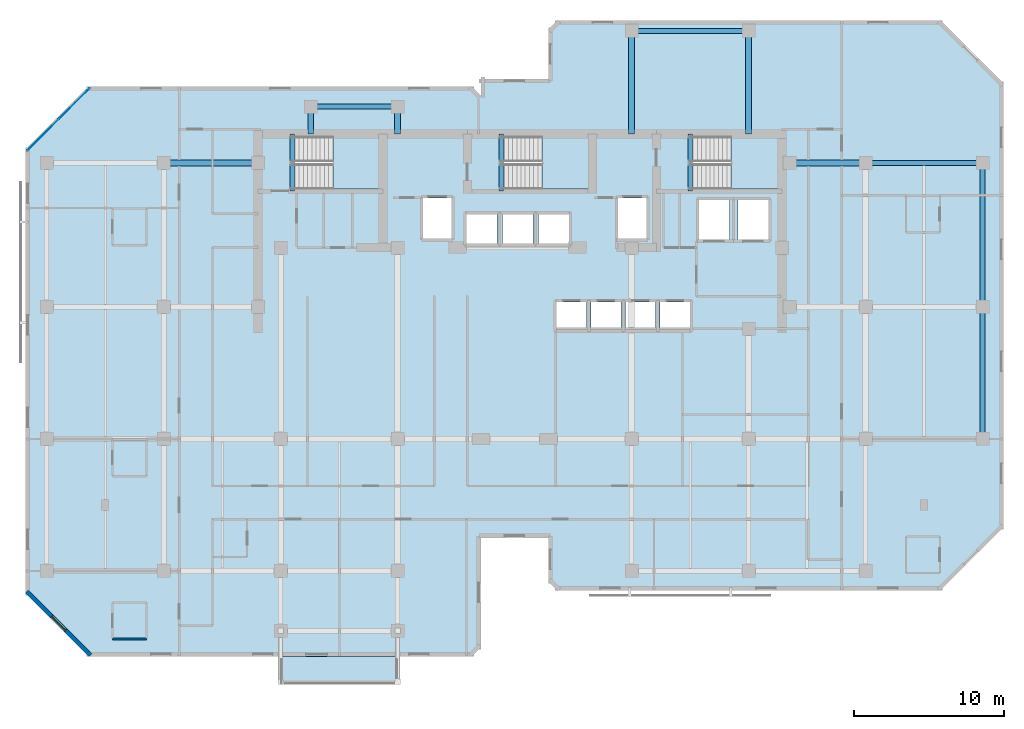
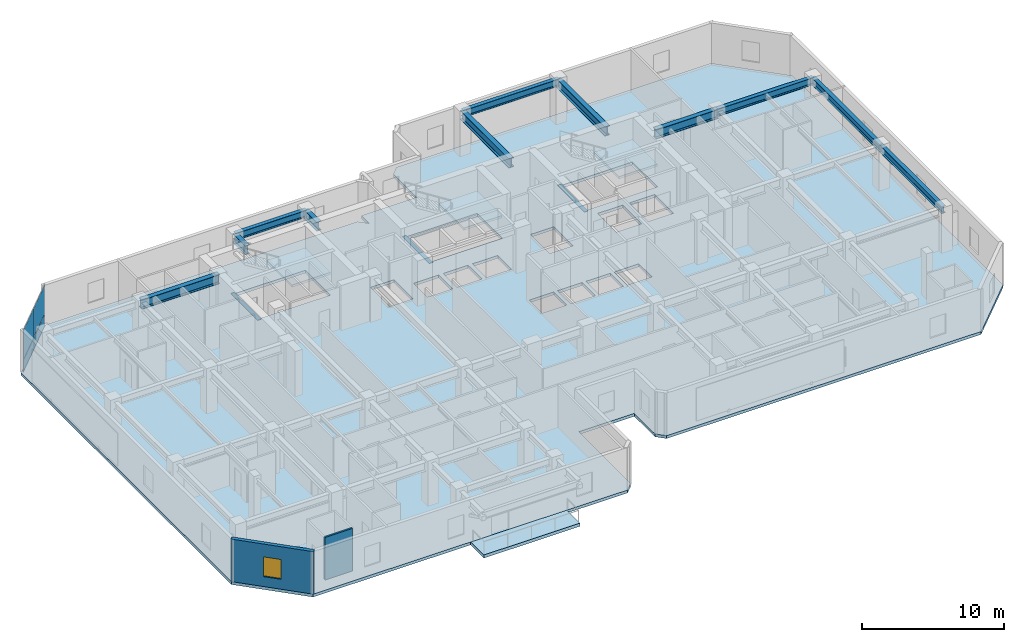
# One storey, part 3 of 11: 14 beams, 5 slabs, 4 plates, 2 walls, 1 window, 1 opening, 4 elements without a shape of their own.
"""IFC4 building model written with IfcOpenShell, lengths in metres."""

from ifc_helpers import new_model, si_unit, direction, frame, frame_2d, origin, origin_2d, place, context, subcontext, project, spatial, polyline, rectangle, i_section, outline, extrude, material, layer, layer_set, material_profile, profile_set, type_object, element, fill, aggregate, save


model = new_model("IFC4")

# Units and contexts
model_context = context("Model", 3, precision=1e-05, world=origin(), true_north=direction((0.0, 1.0)))
body_context = subcontext(model_context, "Body", "Model", "MODEL_VIEW")
ifc_project = project(units=[si_unit("LENGTHUNIT", "METRE"), si_unit("AREAUNIT", "SQUARE_METRE"), si_unit("VOLUMEUNIT", "CUBIC_METRE"), si_unit("PLANEANGLEUNIT", "RADIAN"), si_unit("MASSUNIT", "GRAM", prefix="KILO")], contexts=[model_context])

# Site, building, storey
site_placement = place(None, origin())
site = spatial("IfcSite", under=ifc_project, at=site_placement, CompositionType="ELEMENT")
building_placement = place(site_placement, origin())
building = spatial("IfcBuilding", under=site, at=building_placement, Name="Kestravale Grand Hotel", CompositionType="ELEMENT")
storey_placement = place(building_placement, frame((0.0, 0.0, 204.60009765625)))
storey = spatial("IfcBuildingStorey", under=building, at=storey_placement, Name="L51", CompositionType="ELEMENT", Elevation=204.60009765625)

# Beams
ifc_material_1 = material(Name="Concrete f'c 45 MPa", Category="concrete")
ifc_material_profile_1 = material_profile(ifc_material_1, rectangle(XDim=0.300048828125, YDim=0.39990234375, at=origin_2d()))
ifc_profile_set_1 = profile_set([ifc_material_profile_1], Name="Concrete f'c 45 MPa")
beam_type_1 = type_object("IfcBeamType", Name="B-FLR-LNT400", PredefinedType="LINTEL", material=ifc_profile_set_1)
for number, where, z_axis, x_axis, name in (
    (1, (24.159912109375, 36.52001953125, -0.2001953125), (0.0, 1.0, 0.0), (-1.0, 0.0, 0.0), "L51 ST1 flight bottom header beam"),
    (2, (38.110107421875, 36.52001953125, -0.2001953125), (0.0, 1.0, 0.0), (-1.0, 0.0, 0.0), "L51 ST2 flight bottom header beam"),
    (3, (50.7099609375, 36.52001953125, -0.2001953125), (0.0, 1.0, 0.0), (-1.0, 0.0, 0.0), "L51 ST3 flight bottom header beam"),
):
    element("IfcBeam", number, at=place(storey_placement, frame(where, z_axis=z_axis, x_axis=x_axis)), inside=storey, type_object=beam_type_1, Name=name, PredefinedType="LINTEL", context=body_context, shape_type="SweptSolid", body=[
        extrude(rectangle(XDim=0.300048828125, YDim=0.39990234375, at=origin_2d()), origin(), (0.0, 0.0, 1.0), 3.800048828125),
    ])
ifc_material_2 = material(Name="Steel ASTM A992 Grade 50", Category="steel")
ifc_material_profile_2 = material_profile(ifc_material_2, i_section(OverallWidth=0.324951171875, OverallDepth=0.612060546875, WebThickness=0.0126953125, FlangeThickness=0.01904296875, FilletRadius=0.018798828125, at=origin_2d()))
ifc_profile_set_2 = profile_set([ifc_material_profile_2], Name="Steel ASTM A992 Grade 50")
beam_type_2 = type_object("IfcBeamType", Name="B-FLR-W24A", PredefinedType="SPANDREL", material=ifc_profile_set_2)
for number, where, z_axis, x_axis, name in (
    (4, (62.39990234375, 38.39990234375, 3.343994140625), (1.0, 0.0, 0.0), (0.0, 1.0, 0.0), "L51 spandrel F:10-11"),
    (5, (46.800048828125, 47.199951171875, 3.343994140625), (1.0, 0.0, 0.0), (0.0, 1.0, 0.0), "L51 spandrel G:8-9"),
):
    element("IfcBeam", number, at=place(storey_placement, frame(where, z_axis=z_axis, x_axis=x_axis)), inside=storey, type_object=beam_type_2, Name=name, PredefinedType="SPANDREL", context=body_context, shape_type="SweptSolid", body=[
        extrude(i_section(OverallWidth=0.324951171875, OverallDepth=0.612060546875, WebThickness=0.0126953125, FlangeThickness=0.01904296875, FilletRadius=0.018798828125, at=origin_2d()), origin(), (0.0, 0.0, 1.0), 7.800048828125),
    ])
beam_1_placement = place(storey_placement, frame((25.39990234375, 42.14990234375, 3.343994140625), z_axis=(1.0, 0.0, 0.0), x_axis=(0.0, 1.0, 0.0)))
element("IfcBeam", 6, at=beam_1_placement, inside=storey, type_object=beam_type_2, Name="L51 perimeter tie spandrel FN:4-5", PredefinedType="SPANDREL", context=body_context, shape_type="SweptSolid", body=[
    extrude(i_section(OverallWidth=0.324951171875, OverallDepth=0.612060546875, WebThickness=0.0126953125, FlangeThickness=0.01904296875, FilletRadius=0.018798828125, at=origin_2d()), origin(), (0.0, 0.0, 1.0), 5.800048828125),
])
beam_2_placement = place(storey_placement, frame((70.199951171875, 20.0, 3.343994140625), z_axis=(0.0, 1.0, 0.0), x_axis=(-1.0, 0.0, 0.0)))
element("IfcBeam", 7, at=beam_2_placement, inside=storey, type_object=beam_type_2, Name="L51 spandrel 11:D-E", PredefinedType="SPANDREL", context=body_context, shape_type="SweptSolid", body=[
    extrude(i_section(OverallWidth=0.324951171875, OverallDepth=0.612060546875, WebThickness=0.0126953125, FlangeThickness=0.01904296875, FilletRadius=0.018798828125, at=origin_2d()), origin(), (0.0, 0.0, 1.0), 8.800048828125),
])
beam_3_placement = place(storey_placement, frame((70.199951171875, 28.800048828125, 3.343994140625), z_axis=(0.0, 1.0, 0.0), x_axis=(-1.0, 0.0, 0.0)))
element("IfcBeam", 8, at=beam_3_placement, inside=storey, type_object=beam_type_2, Name="L51 spandrel 11:E-F", PredefinedType="SPANDREL", context=body_context, shape_type="SweptSolid", body=[
    extrude(i_section(OverallWidth=0.324951171875, OverallDepth=0.612060546875, WebThickness=0.0126953125, FlangeThickness=0.01904296875, FilletRadius=0.018798828125, at=origin_2d()), origin(), (0.0, 0.0, 1.0), 9.599853515625),
])
ifc_material_3 = material(Name="Steel ASTM A992 Grade 50", Category="steel")
ifc_material_profile_3 = material_profile(ifc_material_3, i_section(OverallWidth=0.381103515625, OverallDepth=0.77197265625, WebThickness=0.0166015625, FlangeThickness=0.027099609375, FilletRadius=0.023681640625, at=origin_2d()))
ifc_profile_set_3 = profile_set([ifc_material_profile_3], Name="Steel ASTM A992 Grade 50")
beam_type_3 = type_object("IfcBeamType", Name="B-GRD-W30", PredefinedType="BEAM", material=ifc_profile_set_3)
beam_4_placement = place(storey_placement, frame((15.60009765625, 38.39990234375, 3.263916015625), z_axis=(1.0, 0.0, 0.0), x_axis=(0.0, 1.0, 0.0)))
element("IfcBeam", 9, at=beam_4_placement, inside=storey, type_object=beam_type_3, Name="L51 girder F:3-CW", PredefinedType="BEAM", context=body_context, shape_type="SweptSolid", body=[
    extrude(i_section(OverallWidth=0.381103515625, OverallDepth=0.77197265625, WebThickness=0.0166015625, FlangeThickness=0.027099609375, FilletRadius=0.023681640625, at=origin_2d()), origin(), (0.0, 0.0, 1.0), 6.2998046875),
])
beam_5_placement = place(storey_placement, frame((57.35009765625, 38.39990234375, 3.263916015625), z_axis=(1.0, 0.0, 0.0), x_axis=(0.0, 1.0, 0.0)))
element("IfcBeam", 10, at=beam_5_placement, inside=storey, type_object=beam_type_3, Name="L51 girder F:CE-10", PredefinedType="BEAM", context=body_context, shape_type="SweptSolid", body=[
    extrude(i_section(OverallWidth=0.381103515625, OverallDepth=0.77197265625, WebThickness=0.0166015625, FlangeThickness=0.027099609375, FilletRadius=0.023681640625, at=origin_2d()), origin(), (0.0, 0.0, 1.0), 5.0498046875),
])
for number, where, z_axis, x_axis, name in (
    (11, (25.39990234375, 40.320068359375, 3.263916015625), (0.0, 1.0, 0.0), (-1.0, 0.0, 0.0), "L51 north wing tie girder 4:CN-FN"),
    (12, (31.199951171875, 40.320068359375, 3.263916015625), (0.0, 1.0, 0.0), (-1.0, 0.0, 0.0), "L51 north wing tie girder 5:CN-FN"),
):
    element("IfcBeam", number, at=place(storey_placement, frame(where, z_axis=z_axis, x_axis=x_axis)), inside=storey, type_object=beam_type_3, Name=name, PredefinedType="BEAM", context=body_context, shape_type="SweptSolid", body=[
        extrude(i_section(OverallWidth=0.381103515625, OverallDepth=0.77197265625, WebThickness=0.0166015625, FlangeThickness=0.027099609375, FilletRadius=0.023681640625, at=origin_2d()), origin(), (0.0, 0.0, 1.0), 1.829833984375),
    ])
for number, where, z_axis, x_axis, name in (
    (13, (46.800048828125, 40.320068359375, 3.263916015625), (0.0, 1.0, 0.0), (-1.0, 0.0, 0.0), "L51 north wing tie girder 8:CN-G"),
    (14, (54.60009765625, 40.320068359375, 3.263916015625), (0.0, 1.0, 0.0), (-1.0, 0.0, 0.0), "L51 north wing tie girder 9:CN-G"),
):
    element("IfcBeam", number, at=place(storey_placement, frame(where, z_axis=z_axis, x_axis=x_axis)), inside=storey, type_object=beam_type_3, Name=name, PredefinedType="BEAM", context=body_context, shape_type="SweptSolid", body=[
        extrude(i_section(OverallWidth=0.381103515625, OverallDepth=0.77197265625, WebThickness=0.0166015625, FlangeThickness=0.027099609375, FilletRadius=0.023681640625, at=origin_2d()), origin(), (0.0, 0.0, 1.0), 6.8798828125),
    ])

# Curtain wall, plates
ifc_material_4 = material(Name="Thermally broken champagne-bronze aluminium and low-E glazing", Category="aluminium")
ifc_layer_1 = layer(ifc_material_4, 0.179931640625)
ifc_layer_set_1 = layer_set([ifc_layer_1], Name="CW-Z3")
curtain_wall_type = type_object("IfcCurtainWallType", Name="CW-Z3", PredefinedType="NOTDEFINED", material=ifc_layer_set_1)
curtain_wall_placement = place(storey_placement, origin())
curtain_wall = element("IfcCurtainWall", 15, at=curtain_wall_placement, inside=storey, type_object=curtain_wall_type, Name="L51 unitised curtain wall 18", PredefinedType="NOTDEFINED")
ifc_material_5 = material(Name="Insulated clear low-E double glazing IGU", Category="glass")
ifc_layer_2 = layer(ifc_material_5, 0.031982421875)
ifc_layer_set_2 = layer_set([ifc_layer_2], Name="CW-PNL-32")
plate_type = type_object("IfcPlateType", Name="CW-PNL-32", PredefinedType="CURTAIN_PANEL", material=ifc_layer_set_2)
plate_1_placement = place(storey_placement, frame((9.64453125, 42.3466796875, 0.06494140625), z_axis=(0.0, 0.0, 1.0), x_axis=(-0.707106781187, -0.707106781187, 0.0)))
plate_1 = element("IfcPlate", 16, at=plate_1_placement, type_object=plate_type, Name="CW-Z3 panel 1.1", PredefinedType="CURTAIN_PANEL", context=body_context, shape_type="SweptSolid", body=[
    extrude(rectangle(XDim=2.892333984375, YDim=0.031982421875, at=origin_2d()), origin(), (0.0, 0.0, 1.0), 0.952392578125),
])
plate_2_placement = place(storey_placement, frame((9.64453125, 42.3466796875, 1.08251953125), z_axis=(0.0, 0.0, 1.0), x_axis=(-0.707106781187, -0.707106781187, 0.0)))
plate_2 = element("IfcPlate", 17, at=plate_2_placement, type_object=plate_type, Name="CW-Z3 panel 1.2", PredefinedType="CURTAIN_PANEL", context=body_context, shape_type="SweptSolid", body=[
    extrude(rectangle(XDim=2.892333984375, YDim=0.031982421875, at=origin_2d()), origin(), (0.0, 0.0, 1.0), 2.50244140625),
])
plate_3_placement = place(storey_placement, frame((7.553466796875, 40.25537109375, 0.06494140625), z_axis=(0.0, 0.0, 1.0), x_axis=(-0.707106781187, -0.707106781187, 0.0)))
plate_3 = element("IfcPlate", 18, at=plate_3_placement, type_object=plate_type, Name="CW-Z3 panel 2.1", PredefinedType="CURTAIN_PANEL", context=body_context, shape_type="SweptSolid", body=[
    extrude(rectangle(XDim=2.892333984375, YDim=0.031982421875, at=origin_2d()), origin(), (0.0, 0.0, 1.0), 0.952392578125),
])
plate_4_placement = place(storey_placement, frame((7.553466796875, 40.25537109375, 1.08251953125), z_axis=(0.0, 0.0, 1.0), x_axis=(-0.707106781187, -0.707106781187, 0.0)))
plate_4 = element("IfcPlate", 19, at=plate_4_placement, type_object=plate_type, Name="CW-Z3 panel 2.2", PredefinedType="CURTAIN_PANEL", context=body_context, shape_type="SweptSolid", body=[
    extrude(rectangle(XDim=2.892333984375, YDim=0.031982421875, at=origin_2d()), origin(), (0.0, 0.0, 1.0), 2.50244140625),
])
aggregate(curtain_wall, [plate_1, plate_2, plate_3, plate_4])

# Slab
ifc_material_6 = material(Name="Concrete f'c 45 MPa", Category="concrete")
ifc_layer_3 = layer(ifc_material_6, 0.27001953125)
ifc_layer_set_3 = layer_set([ifc_layer_3], Name="ES-TERR-270")
slab_type_1 = type_object("IfcSlabType", Name="ES-TERR-270", PredefinedType="FLOOR", material=ifc_layer_set_3)
slab_1_placement = place(storey_placement, frame((0.0, 0.0, -0.27001953125)))
element("IfcSlab", 20, at=slab_1_placement, inside=storey, type_object=slab_type_1, Name="L51 spiralling planted garden terrace", PredefinedType="FLOOR", context=body_context, shape_type="SweptSolid", body=[
    extrude(outline(polyline([(23.39990234375, 3.64990234375), (31.199951171875, 3.64990234375), (31.199951171875, 5.5), (23.39990234375, 5.5), (23.39990234375, 3.64990234375)])), origin(), (0.0, 0.0, 1.0), 0.27001953125),
])

# Stair, slab
ifc_material_7 = material(Name="Concrete f'c 45 MPa", Category="concrete")
stair_type = type_object("IfcStairType", Name="ST-CORE-390", PredefinedType="HALF_TURN_STAIR", material=ifc_material_7)
stair_1_placement = place(storey_placement, origin())
stair_1 = element("IfcStair", 21, at=stair_1_placement, inside=storey, type_object=stair_type, Name="L51 ST-1", PredefinedType="HALF_TURN_STAIR")
ifc_material_8 = material(Name="Concrete f'c 45 MPa", Category="concrete")
ifc_layer_4 = layer(ifc_material_8, 0.199951171875)
ifc_layer_set_4 = layer_set([ifc_layer_4], Name="SLB-ST-LND200")
slab_type_2 = type_object("IfcSlabType", Name="SLB-ST-LND200", PredefinedType="LANDING", material=ifc_layer_set_4)
slab_2_placement = place(storey_placement, frame((0.0, 0.0, 1.75)))
slab_2 = element("IfcSlab", 22, at=slab_2_placement, type_object=slab_type_2, Name="ST-1 landing 1", PredefinedType="LANDING", context=body_context, shape_type="SweptSolid", body=[
    extrude(outline(polyline([(26.8798828125, 36.64990234375), (30.0, 36.64990234375), (30.0, 40.159912109375), (26.8798828125, 40.159912109375), (26.8798828125, 36.64990234375)])), origin(), (0.0, 0.0, 1.0), 0.199951171875),
])
aggregate(stair_1, [slab_2])

stair_2_placement = place(storey_placement, origin())
stair_2 = element("IfcStair", 23, at=stair_2_placement, inside=storey, type_object=stair_type, Name="L51 ST-2", PredefinedType="HALF_TURN_STAIR")
slab_3_placement = place(storey_placement, frame((0.0, 0.0, 1.75)))
slab_3 = element("IfcSlab", 24, at=slab_3_placement, type_object=slab_type_2, Name="ST-2 landing 1", PredefinedType="LANDING", context=body_context, shape_type="SweptSolid", body=[
    extrude(outline(polyline([(40.830078125, 36.64990234375), (43.949951171875, 36.64990234375), (43.949951171875, 40.159912109375), (40.830078125, 40.159912109375), (40.830078125, 36.64990234375)])), origin(), (0.0, 0.0, 1.0), 0.199951171875),
])
aggregate(stair_2, [slab_3])

stair_3_placement = place(storey_placement, origin())
stair_3 = element("IfcStair", 25, at=stair_3_placement, inside=storey, type_object=stair_type, Name="L51 ST-3", PredefinedType="HALF_TURN_STAIR")
slab_4_placement = place(storey_placement, frame((0.0, 0.0, 1.75)))
slab_4 = element("IfcSlab", 26, at=slab_4_placement, type_object=slab_type_2, Name="ST-3 landing 1", PredefinedType="LANDING", context=body_context, shape_type="SweptSolid", body=[
    extrude(outline(polyline([(53.429931640625, 36.64990234375), (56.550048828125, 36.64990234375), (56.550048828125, 40.159912109375), (53.429931640625, 40.159912109375), (53.429931640625, 36.64990234375)])), origin(), (0.0, 0.0, 1.0), 0.199951171875),
])
aggregate(stair_3, [slab_4])

# Slab
ifc_material_9 = material(Name="Concrete f'c 45 MPa", Category="concrete")
ifc_layer_5 = layer(ifc_material_9, 0.25)
ifc_layer_set_5 = layer_set([ifc_layer_5], Name="SS-FLR-250")
slab_type_3 = type_object("IfcSlabType", Name="SS-FLR-250", PredefinedType="FLOOR", material=ifc_layer_set_5)
slab_5_placement = place(storey_placement, frame((0.0, 0.0, -0.25)))
element("IfcSlab", 27, at=slab_5_placement, inside=storey, type_object=slab_type_3, Name="L51 structural floor slab", PredefinedType="FLOOR", context=body_context, shape_type="SweptSolid", body=[
    extrude(outline(polyline([(10.60009765625, 5.5), (36.14990234375, 5.5), (36.75, 6.10009765625), (36.75, 13.39990234375), (41.25, 13.39990234375), (41.25, 10.5), (41.85009765625, 9.89990234375), (67.39990234375, 9.89990234375), (71.60009765625, 14.10009765625), (71.60009765625, 43.699951171875), (67.39990234375, 47.89990234375), (41.85009765625, 47.89990234375), (41.25, 47.300048828125), (41.25, 44.0), (36.75, 44.0), (36.75, 42.89990234375), (36.14990234375, 43.5), (10.60009765625, 43.5), (6.39990234375, 39.300048828125), (6.39990234375, 9.699951171875), (10.60009765625, 5.5)]), holes=[polyline([(24.080078125, 36.64990234375), (30.0, 36.64990234375), (30.0, 40.159912109375), (24.080078125, 40.159912109375), (24.080078125, 36.64990234375)]), polyline([(38.030029296875, 36.64990234375), (43.949951171875, 36.64990234375), (43.949951171875, 40.159912109375), (38.030029296875, 40.159912109375), (38.030029296875, 36.64990234375)]), polyline([(50.6298828125, 36.64990234375), (56.550048828125, 36.64990234375), (56.550048828125, 40.159912109375), (50.6298828125, 40.159912109375), (50.6298828125, 36.64990234375)]), polyline([(41.804931640625, 27.280029296875), (43.794921875, 27.280029296875), (43.794921875, 29.1201171875), (41.804931640625, 29.1201171875), (41.804931640625, 27.280029296875)]), polyline([(44.10498046875, 27.280029296875), (46.094970703125, 27.280029296875), (46.094970703125, 29.1201171875), (44.10498046875, 29.1201171875), (44.10498046875, 27.280029296875)]), polyline([(46.405029296875, 27.280029296875), (48.39501953125, 27.280029296875), (48.39501953125, 29.1201171875), (46.405029296875, 29.1201171875), (46.405029296875, 27.280029296875)]), polyline([(48.705078125, 27.280029296875), (50.695068359375, 27.280029296875), (50.695068359375, 29.1201171875), (48.705078125, 29.1201171875), (48.705078125, 27.280029296875)]), polyline([(35.780029296875, 33.030029296875), (37.820068359375, 33.030029296875), (37.820068359375, 34.969970703125), (35.780029296875, 34.969970703125), (35.780029296875, 33.030029296875)]), polyline([(38.179931640625, 33.030029296875), (40.219970703125, 33.030029296875), (40.219970703125, 34.969970703125), (38.179931640625, 34.969970703125), (38.179931640625, 33.030029296875)]), polyline([(40.580078125, 33.030029296875), (42.6201171875, 33.030029296875), (42.6201171875, 34.969970703125), (40.580078125, 34.969970703125), (40.580078125, 33.030029296875)]), polyline([(32.905029296875, 33.35498046875), (34.794921875, 33.35498046875), (34.794921875, 36.044921875), (32.905029296875, 36.044921875), (32.905029296875, 33.35498046875)]), polyline([(45.905029296875, 33.35498046875), (47.794921875, 33.35498046875), (47.794921875, 36.044921875), (45.905029296875, 36.044921875), (45.905029296875, 33.35498046875)]), polyline([(51.280029296875, 33.280029296875), (53.320068359375, 33.280029296875), (53.320068359375, 35.919921875), (51.280029296875, 35.919921875), (51.280029296875, 33.280029296875)]), polyline([(53.8798828125, 33.280029296875), (55.919921875, 33.280029296875), (55.919921875, 35.919921875), (53.8798828125, 35.919921875), (53.8798828125, 33.280029296875)])]), origin(), (0.0, 0.0, 1.0), 0.25),
])

# Wall, opening, window
ifc_material_10 = material(Name="Precast concrete f'c 45 MPa", Category="concrete")
ifc_layer_6 = layer(ifc_material_10, 0.280029296875)
ifc_layer_set_6 = layer_set([ifc_layer_6], Name="EW-PREC-280")
wall_type_1 = type_object("IfcWallType", Name="EW-PREC-280", PredefinedType="SOLIDWALL", material=ifc_layer_set_6)
wall_1_placement = place(storey_placement, frame((6.470703125, 9.827392578125, 0.0), z_axis=(0.0, 0.0, 1.0), x_axis=(0.707106781187, -0.707106781187, 0.0)))
wall_1 = element("IfcWall", 28, at=wall_1_placement, inside=storey, type_object=wall_type_1, Name="L51 fluted precast facade wall 20", PredefinedType="SOLIDWALL", context=body_context, shape_type="SweptSolid", body=[
    extrude(rectangle(XDim=6.019775390625, YDim=0.280029296875, at=frame_2d((3.009765625, 0.0))), origin(), (0.0, 0.0, 1.0), 3.64990234375),
])
opening_placement = place(wall_1_placement, frame((2.35986328125, 0.0, 0.85009765625)))
opening = element("IfcOpeningElement", 29, at=opening_placement, cuts=wall_1, Name="Opening W-GUEST-1300", PredefinedType="OPENING", context=body_context, shape_type="SweptSolid", body=[
    extrude(rectangle(XDim=1.300048828125, YDim=1.699951171875, at=frame_2d((0.64990234375, 0.85009765625))), frame((0.0, 0.14990234375, 0.0), z_axis=(0.0, -1.0, 0.0), x_axis=(1.0, 0.0, 0.0)), (0.0, 0.0, 1.0), 0.300048828125),
])
ifc_material_11 = material(Name="Insulated low-E double glazing in aluminium frame", Category="aluminium")
window_type = type_object("IfcWindowType", Name="W-GUEST-1300", PartitioningType="SINGLE_PANEL", PredefinedType="WINDOW", material=ifc_material_11)
window_placement = place(opening_placement, origin())
window = element("IfcWindow", 30, at=window_placement, inside=storey, type_object=window_type, Name="L51 exterior window 20.1", OverallHeight=1.699951171875, OverallWidth=1.300048828125, PartitioningType="SINGLE_PANEL", PredefinedType="WINDOW", context=body_context, shape_type="SweptSolid", body=[
    extrude(rectangle(XDim=1.300048828125, YDim=1.699951171875, at=frame_2d((0.64990234375, 0.85009765625))), frame((0.0, 0.030029296875, 0.0), z_axis=(0.0, -1.0, 0.0), x_axis=(1.0, 0.0, 0.0)), (0.0, 0.0, 1.0), 0.06005859375),
])
fill(opening, window)

# Wall
ifc_material_12 = material(Name="Moisture-resistant tile-backer plumbing chase wall", Category="other")
ifc_layer_7 = layer(ifc_material_12, 0.139892578125)
ifc_layer_set_7 = layer_set([ifc_layer_7], Name="IW-PLB-140")
wall_type_2 = type_object("IfcWallType", Name="IW-PLB-140", PredefinedType="PLUMBINGWALL", material=ifc_layer_set_7)
wall_2_placement = place(storey_placement, frame((12.199951171875, 6.64990234375, 0.0), z_axis=(0.0, 0.0, 1.0), x_axis=(1.0, 0.0, 0.0)))
element("IfcWall", 31, at=wall_2_placement, inside=storey, type_object=wall_type_2, Name="W-L51-U02-BS", PredefinedType="PLUMBINGWALL", context=body_context, shape_type="SweptSolid", body=[
    extrude(rectangle(XDim=2.25, YDim=0.139892578125, at=frame_2d((1.125, 0.0))), origin(), (0.0, 0.0, 1.0), 3.64990234375),
])

save(model, "model.ifc")
